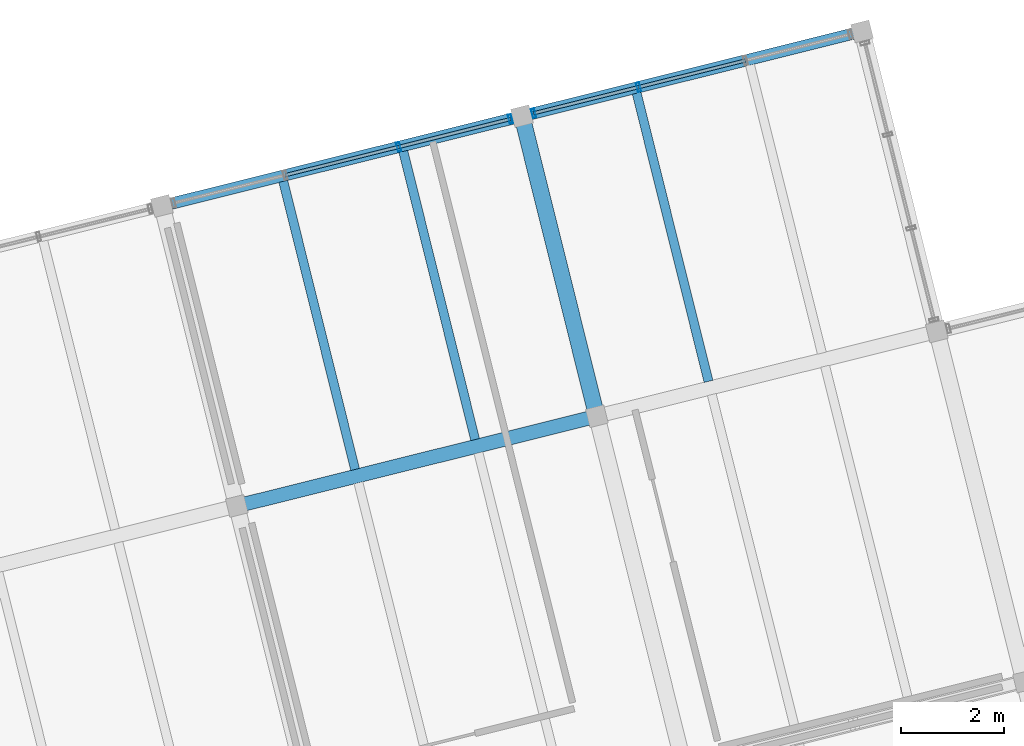
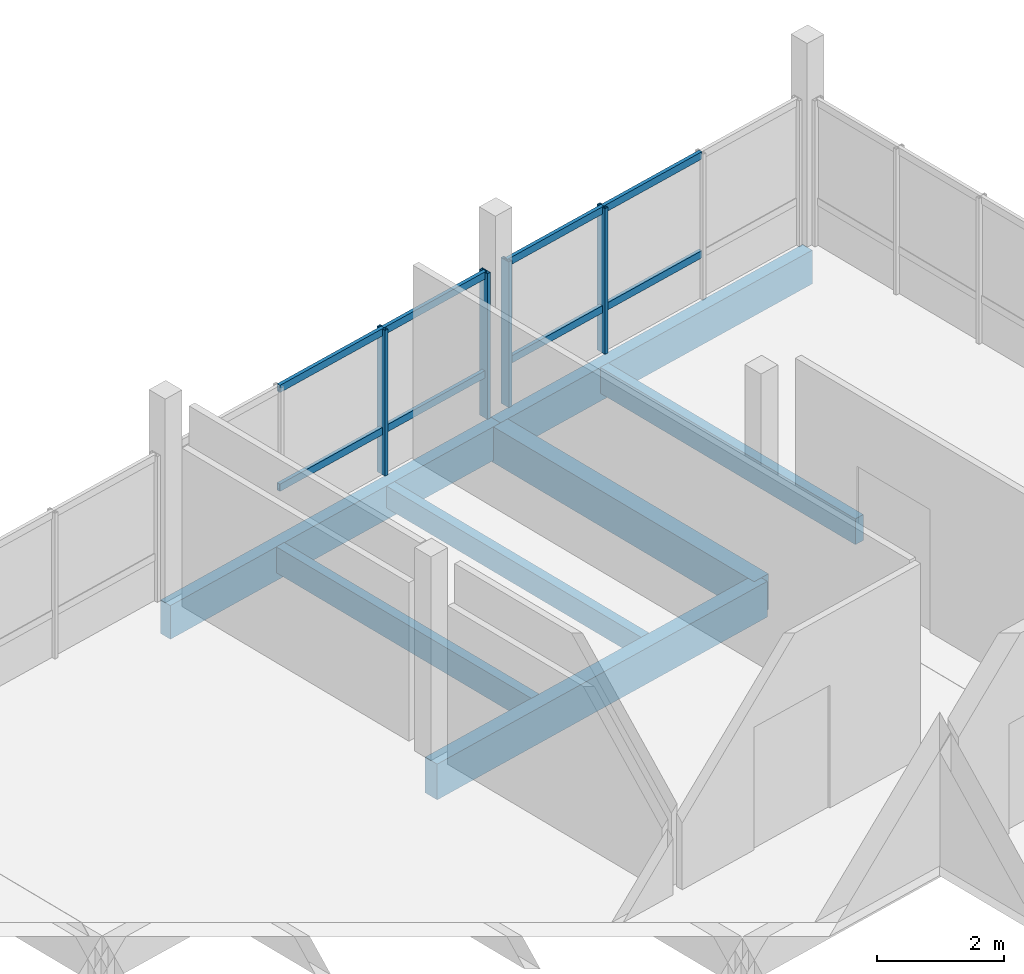
# One storey, part 19 of 28: 12 members, 7 beams, 2 elements without a shape of their own.
"""IFC4 building model written with IfcOpenShell, lengths in metres."""

from ifc_helpers import new_model, si_unit, direction, frame, origin, origin_2d, place, context, subcontext, project, spatial, rectangle, hollow_rectangle, extrude, material, layer, layer_set, material_profile, profile_set, type_object, element, aggregate, save


model = new_model("IFC4")

# Units and contexts
model_context = context("Model", 3, precision=1e-05, world=origin(), true_north=direction((0.0, 1.0)))
body_context = subcontext(model_context, "Body", "Model", "MODEL_VIEW")
ifc_project = project(units=[si_unit("LENGTHUNIT", "METRE"), si_unit("AREAUNIT", "SQUARE_METRE"), si_unit("VOLUMEUNIT", "CUBIC_METRE"), si_unit("PLANEANGLEUNIT", "RADIAN"), si_unit("MASSUNIT", "GRAM", prefix="KILO")], contexts=[model_context])

# Site, building, storey
site_placement = place(None, origin())
site = spatial("IfcSite", under=ifc_project, at=site_placement, CompositionType="ELEMENT")
building_placement = place(site_placement, origin())
building = spatial("IfcBuilding", under=site, at=building_placement, Name="Meriwether Solvik Hall", CompositionType="ELEMENT")
storey_placement = place(building_placement, frame((0.0, 0.0, 37.800048828125)))
storey = spatial("IfcBuildingStorey", under=building, at=storey_placement, Name="L09", CompositionType="ELEMENT", Elevation=37.800048828125)

# Beams
ifc_material_1 = material(Name="Glulam Douglas-Fir 24F-V8 GL28h", Category="wood")
ifc_material_profile_1 = material_profile(ifc_material_1, rectangle(XDim=0.221923828125, YDim=0.64501953125, at=origin_2d()), Name="GLB-222X645")
ifc_profile_set_1 = profile_set([ifc_material_profile_1], Name="Glulam Douglas-Fir 24F-V8 GL28h")
beam_type_1 = type_object("IfcBeamType", Name="BM-GL-222X645", PredefinedType="SPANDREL", material=ifc_profile_set_1)
beam_1_placement = place(storey_placement, frame((81.72119140625, 79.512451171875, -0.50244140625), z_axis=(0.970299871507, 0.241905269381, 0.0), x_axis=(-0.241905269381, 0.970299871507, 0.0)))
element("IfcBeam", 1, at=beam_1_placement, inside=storey, type_object=beam_type_1, Name="Tower Girder TF:T4-T5 (L09)", PredefinedType="SPANDREL", context=body_context, shape_type="SweptSolid", body=[
    extrude(rectangle(XDim=0.221923828125, YDim=0.64501953125, at=origin_2d()), origin(), (0.0, 0.0, 1.0), 7.199951171875),
])
beam_2_placement = place(storey_placement, frame((88.707275390625, 81.254150390625, -0.50244140625), z_axis=(0.970298579828, 0.24191045034, 0.0), x_axis=(-0.24191045034, 0.970298579828, 0.0)))
element("IfcBeam", 2, at=beam_2_placement, inside=storey, type_object=beam_type_1, Name="Tower Girder TF:T5-T6 (L09)", PredefinedType="SPANDREL", context=body_context, shape_type="SweptSolid", body=[
    extrude(rectangle(XDim=0.221923828125, YDim=0.64501953125, at=origin_2d()), origin(), (0.0, 0.0, 1.0), 6.800048828125),
])
ifc_material_2 = material(Name="Glulam Douglas-Fir 24F-V8 GL28h", Category="wood")
ifc_material_profile_2 = material_profile(ifc_material_2, rectangle(XDim=0.27294921875, YDim=0.68505859375, at=origin_2d()), Name="GLB-273X685")
ifc_profile_set_2 = profile_set([ifc_material_profile_2], Name="Glulam Douglas-Fir 24F-V8 GL28h")
beam_type_2 = type_object("IfcBeamType", Name="BM-GL-273X685", PredefinedType="BEAM", material=ifc_profile_set_2)
beam_3_placement = place(storey_placement, frame((83.172607421875, 73.690673828125, -0.5224609375), z_axis=(0.970301855688, 0.241897310542, 0.0), x_axis=(-0.241897310542, 0.970301855688, 0.0)))
element("IfcBeam", 3, at=beam_3_placement, inside=storey, type_object=beam_type_2, Name="Tower Girder TE:T4-T5 (L09)", PredefinedType="BEAM", context=body_context, shape_type="SweptSolid", body=[
    extrude(rectangle(XDim=0.27294921875, YDim=0.68505859375, at=origin_2d()), origin(), (0.0, 0.0, 1.0), 7.2001953125),
])
ifc_material_3 = material(Name="Glulam Douglas-Fir 24F-V8 GL28h", Category="wood")
ifc_material_profile_3 = material_profile(ifc_material_3, rectangle(XDim=0.31494140625, YDim=0.68505859375, at=origin_2d()), Name="GLB-315X685")
ifc_profile_set_3 = profile_set([ifc_material_profile_3], Name="Glulam Douglas-Fir 24F-V8 GL28h")
beam_type_3 = type_object("IfcBeamType", Name="BM-GL-315X685", PredefinedType="BEAM", material=ifc_profile_set_3)
beam_4_placement = place(storey_placement, frame((90.158935546875, 75.432373046875, -0.5224609375), z_axis=(-0.241941986192, 0.970290716908, 0.0), x_axis=(-0.970290716908, -0.241941986192, 0.0)))
element("IfcBeam", 4, at=beam_4_placement, inside=storey, type_object=beam_type_3, Name="Tower Girder T5:TE-TF (L09)", PredefinedType="BEAM", context=body_context, shape_type="SweptSolid", body=[
    extrude(rectangle(XDim=0.31494140625, YDim=0.68505859375, at=origin_2d()), origin(), (0.0, 0.0, 1.0), 6.0),
])

# Curtain wall, members
ifc_material_4 = material(Name="Thermally Broken Anodised Aluminium 6063-T6 and Low-E Glass", Category="aluminium")
ifc_layer_1 = layer(ifc_material_4, 0.179931640625)
ifc_layer_set_1 = layer_set([ifc_layer_1], Name="Thermally Broken Anodised Aluminium 6063-T6 and Low-E Glass")
curtain_wall_type_1 = type_object("IfcCurtainWallType", Name="CW-UNIT-B", PredefinedType="USERDEFINED", material=ifc_layer_set_1)
curtain_wall_1_placement = place(storey_placement, origin())
curtain_wall_1 = element("IfcCurtainWall", 5, at=curtain_wall_1_placement, inside=storey, type_object=curtain_wall_type_1, Name="Curtain Wall E6_B3 (L09)", ObjectType="UNITISED CURTAIN WALL", PredefinedType="USERDEFINED")
ifc_material_5 = material(Name="Anodised Aluminium 6063-T6", Category="aluminium")
ifc_material_profile_4 = material_profile(ifc_material_5, hollow_rectangle(XDim=0.06494140625, YDim=0.179931640625, WallThickness=0.00439453125, at=origin_2d()), Name="CWM-65X180")
ifc_profile_set_4 = profile_set([ifc_material_profile_4], Name="Anodised Aluminium 6063-T6")
member_type_1 = type_object("IfcMemberType", Name="CW-MUL-65X180", PredefinedType="MULLION", material=ifc_profile_set_4)
member_1_placement = place(storey_placement, frame((86.315673828125, 80.657958984375, 0.0), z_axis=(0.0, 0.0, 1.0), x_axis=(0.970295725693, 0.241921897937, 0.0)))
member_1 = element("IfcMember", 6, at=member_1_placement, type_object=member_type_1, Name="Curtain Wall Mullion 3", PredefinedType="MULLION", context=body_context, shape_type="SweptSolid", body=[
    extrude(hollow_rectangle(XDim=0.06494140625, YDim=0.179931640625, WallThickness=0.00439453125, at=origin_2d()), origin(), (0.0, 0.0, 1.0), 2.7900390625),
])
member_2_placement = place(storey_placement, frame((88.481689453125, 81.197998046875, 0.0), z_axis=(0.0, 0.0, 1.0), x_axis=(0.970295725693, 0.241921897937, 0.0)))
member_2 = element("IfcMember", 7, at=member_2_placement, type_object=member_type_1, Name="Curtain Wall Mullion 4", PredefinedType="MULLION", context=body_context, shape_type="SweptSolid", body=[
    extrude(hollow_rectangle(XDim=0.06494140625, YDim=0.179931640625, WallThickness=0.00439453125, at=origin_2d()), origin(), (0.0, 0.0, 1.0), 2.7900390625),
])

ifc_material_6 = material(Name="Thermally Broken Anodised Aluminium 6063-T6 and Low-E Glass", Category="aluminium")
ifc_layer_2 = layer(ifc_material_6, 0.179931640625)
ifc_layer_set_2 = layer_set([ifc_layer_2], Name="Thermally Broken Anodised Aluminium 6063-T6 and Low-E Glass")
curtain_wall_type_2 = type_object("IfcCurtainWallType", Name="CW-UNIT-C", PredefinedType="USERDEFINED", material=ifc_layer_set_2)
curtain_wall_2_placement = place(storey_placement, origin())
curtain_wall_2 = element("IfcCurtainWall", 8, at=curtain_wall_2_placement, inside=storey, type_object=curtain_wall_type_2, Name="Curtain Wall E6_B4 (L09)", ObjectType="UNITISED CURTAIN WALL", PredefinedType="USERDEFINED")
member_3_placement = place(storey_placement, frame((88.932861328125, 81.310302734375, 0.0), z_axis=(0.0, 0.0, 1.0), x_axis=(0.970295737161, 0.241921851942, 0.0)))
member_3 = element("IfcMember", 9, at=member_3_placement, type_object=member_type_1, Name="Curtain Wall Mullion 1", PredefinedType="MULLION", context=body_context, shape_type="SweptSolid", body=[
    extrude(hollow_rectangle(XDim=0.06494140625, YDim=0.179931640625, WallThickness=0.00439453125, at=origin_2d()), origin(), (0.0, 0.0, 1.0), 2.7900390625),
])
member_4_placement = place(storey_placement, frame((90.969482421875, 81.818115234375, 0.0), z_axis=(0.0, 0.0, 1.0), x_axis=(0.970295737161, 0.241921851942, 0.0)))
member_4 = element("IfcMember", 10, at=member_4_placement, type_object=member_type_1, Name="Curtain Wall Mullion 2", PredefinedType="MULLION", context=body_context, shape_type="SweptSolid", body=[
    extrude(hollow_rectangle(XDim=0.06494140625, YDim=0.179931640625, WallThickness=0.00439453125, at=origin_2d()), origin(), (0.0, 0.0, 1.0), 2.7900390625),
])

# Member
ifc_material_7 = material(Name="Anodised Aluminium 6063-T6", Category="aluminium")
ifc_material_profile_5 = material_profile(ifc_material_7, hollow_rectangle(XDim=0.06494140625, YDim=0.139892578125, WallThickness=0.00439453125, at=origin_2d()), Name="CWT-65X140")
ifc_profile_set_5 = profile_set([ifc_material_profile_5], Name="Anodised Aluminium 6063-T6")
member_type_2 = type_object("IfcMemberType", Name="CW-TRN-65X140", PredefinedType="USERDEFINED", material=ifc_profile_set_5)
member_5_placement = place(storey_placement, frame((84.11279296875, 80.108642578125, 0.8369140625), z_axis=(0.970287814054, 0.241953627576, 0.0), x_axis=(-0.241953627576, 0.970287814054, 0.0)))
member_5 = element("IfcMember", 11, at=member_5_placement, type_object=member_type_2, Name="Curtain Wall Transom 2-sill", ObjectType="TRANSOM", PredefinedType="USERDEFINED", context=body_context, shape_type="SweptSolid", body=[
    extrude(hollow_rectangle(XDim=0.06494140625, YDim=0.139892578125, WallThickness=0.00439453125, at=origin_2d()), origin(), (0.0, 0.0, 1.0), 2.270263671875),
])

member_6_placement = place(storey_placement, frame((84.11279296875, 80.108642578125, 2.72998046875), z_axis=(0.970287814054, 0.241953627576, 0.0), x_axis=(-0.241953627576, 0.970287814054, 0.0)))
member_6 = element("IfcMember", 12, at=member_6_placement, type_object=member_type_2, Name="Curtain Wall Transom 2-head", ObjectType="TRANSOM", PredefinedType="USERDEFINED", context=body_context, shape_type="SweptSolid", body=[
    extrude(hollow_rectangle(XDim=0.06494140625, YDim=0.139892578125, WallThickness=0.00439453125, at=origin_2d()), origin(), (0.0, 0.0, 1.0), 2.270263671875),
])

member_7_placement = place(storey_placement, frame((86.315673828125, 80.657958984375, 0.8369140625), z_axis=(0.970296702868, 0.241917978668, 0.0), x_axis=(-0.241917978668, 0.970296702868, 0.0)))
member_7 = element("IfcMember", 13, at=member_7_placement, type_object=member_type_2, Name="Curtain Wall Transom 3-sill", ObjectType="TRANSOM", PredefinedType="USERDEFINED", context=body_context, shape_type="SweptSolid", body=[
    extrude(hollow_rectangle(XDim=0.06494140625, YDim=0.139892578125, WallThickness=0.00439453125, at=origin_2d()), origin(), (0.0, 0.0, 1.0), 2.232421875),
])

member_8_placement = place(storey_placement, frame((86.315673828125, 80.657958984375, 2.72998046875), z_axis=(0.970296702868, 0.241917978668, 0.0), x_axis=(-0.241917978668, 0.970296702868, 0.0)))
member_8 = element("IfcMember", 14, at=member_8_placement, type_object=member_type_2, Name="Curtain Wall Transom 3-head", ObjectType="TRANSOM", PredefinedType="USERDEFINED", context=body_context, shape_type="SweptSolid", body=[
    extrude(hollow_rectangle(XDim=0.06494140625, YDim=0.139892578125, WallThickness=0.00439453125, at=origin_2d()), origin(), (0.0, 0.0, 1.0), 2.232421875),
])

aggregate(curtain_wall_1, [member_1, member_2, member_5, member_6, member_7, member_8])

member_9_placement = place(storey_placement, frame((88.932861328125, 81.310302734375, 0.8369140625), z_axis=(0.970292837531, 0.241933481427, 0.0), x_axis=(-0.241933481427, 0.970292837531, 0.0)))
member_9 = element("IfcMember", 15, at=member_9_placement, type_object=member_type_2, Name="Curtain Wall Transom 1-sill", ObjectType="TRANSOM", PredefinedType="USERDEFINED", context=body_context, shape_type="SweptSolid", body=[
    extrude(hollow_rectangle(XDim=0.06494140625, YDim=0.139892578125, WallThickness=0.00439453125, at=origin_2d()), origin(), (0.0, 0.0, 1.0), 2.098876953125),
])

member_10_placement = place(storey_placement, frame((88.932861328125, 81.310302734375, 2.72998046875), z_axis=(0.970292837531, 0.241933481427, 0.0), x_axis=(-0.241933481427, 0.970292837531, 0.0)))
member_10 = element("IfcMember", 16, at=member_10_placement, type_object=member_type_2, Name="Curtain Wall Transom 1-head", ObjectType="TRANSOM", PredefinedType="USERDEFINED", context=body_context, shape_type="SweptSolid", body=[
    extrude(hollow_rectangle(XDim=0.06494140625, YDim=0.139892578125, WallThickness=0.00439453125, at=origin_2d()), origin(), (0.0, 0.0, 1.0), 2.098876953125),
])

member_11_placement = place(storey_placement, frame((90.969482421875, 81.818115234375, 0.8369140625), z_axis=(0.970283462184, 0.241971078877, 0.0), x_axis=(-0.241971078877, 0.970283462184, 0.0)))
member_11 = element("IfcMember", 17, at=member_11_placement, type_object=member_type_2, Name="Curtain Wall Transom 2-sill", ObjectType="TRANSOM", PredefinedType="USERDEFINED", context=body_context, shape_type="SweptSolid", body=[
    extrude(hollow_rectangle(XDim=0.06494140625, YDim=0.139892578125, WallThickness=0.00439453125, at=origin_2d()), origin(), (0.0, 0.0, 1.0), 2.136962890625),
])

member_12_placement = place(storey_placement, frame((90.969482421875, 81.818115234375, 2.72998046875), z_axis=(0.970283462184, 0.241971078877, 0.0), x_axis=(-0.241971078877, 0.970283462184, 0.0)))
member_12 = element("IfcMember", 18, at=member_12_placement, type_object=member_type_2, Name="Curtain Wall Transom 2-head", ObjectType="TRANSOM", PredefinedType="USERDEFINED", context=body_context, shape_type="SweptSolid", body=[
    extrude(hollow_rectangle(XDim=0.06494140625, YDim=0.139892578125, WallThickness=0.00439453125, at=origin_2d()), origin(), (0.0, 0.0, 1.0), 2.136962890625),
])

aggregate(curtain_wall_2, [member_3, member_4, member_9, member_10, member_11, member_12])

# Beams
ifc_material_8 = material(Name="Glulam Douglas-Fir 24F-V8 GL28h", Category="wood")
ifc_material_profile_6 = material_profile(ifc_material_8, rectangle(XDim=0.175048828125, YDim=0.419921875, at=origin_2d()), Name="GLJ-175X420")
ifc_profile_set_6 = profile_set([ifc_material_profile_6], Name="Glulam Douglas-Fir 24F-V8 GL28h")
beam_type_4 = type_object("IfcBeamType", Name="JST-GL-175X420", PredefinedType="JOIST", material=ifc_profile_set_6)
beam_5_placement = place(storey_placement, frame((87.79833984375, 74.9794921875, -0.39013671875), z_axis=(-0.241917511092, 0.970296819446, 0.0), x_axis=(-0.970296819446, -0.241917511092, 0.0)))
element("IfcBeam", 19, at=beam_5_placement, inside=storey, type_object=beam_type_4, Name="Glulam Floor Joist T4/TE-J2 (L09)", PredefinedType="JOIST", context=body_context, shape_type="SweptSolid", body=[
    extrude(rectangle(XDim=0.175048828125, YDim=0.419921875, at=origin_2d()), origin(), (0.0, 0.0, 1.0), 5.762451171875),
])
ifc_material_9 = material(Name="Glulam Douglas-Fir 24F-V8 GL28h", Category="wood")
ifc_material_profile_7 = material_profile(ifc_material_9, rectangle(XDim=0.175048828125, YDim=0.4951171875, at=origin_2d()), Name="GLJ-175X495")
ifc_profile_set_7 = profile_set([ifc_material_profile_7], Name="Glulam Douglas-Fir 24F-V8 GL28h")
beam_type_5 = type_object("IfcBeamType", Name="JST-GL-175X495", PredefinedType="JOIST", material=ifc_profile_set_7)
for number, where, z_axis, x_axis, name in (
    (20, (85.469482421875, 74.398681640625, -0.427490234375), (-0.241917511092, 0.970296819446, 0.0), (-0.970296819446, -0.241917511092, 0.0), "Glulam Floor Joist T4/TE-J1 (L09)"),
    (21, (92.326416015625, 76.1083984375, -0.427490234375), (-0.241917511092, 0.970296819446, 0.0), (-0.970296819446, -0.241917511092, 0.0), "Glulam Floor Joist T5/TE-J1 (L09)"),
):
    element("IfcBeam", number, at=place(storey_placement, frame(where, z_axis=z_axis, x_axis=x_axis)), inside=storey, type_object=beam_type_5, Name=name, PredefinedType="JOIST", context=body_context, shape_type="SweptSolid", body=[
        extrude(rectangle(XDim=0.175048828125, YDim=0.4951171875, at=origin_2d()), origin(), (0.0, 0.0, 1.0), 5.762451171875),
    ])

save(model, "model.ifc")
